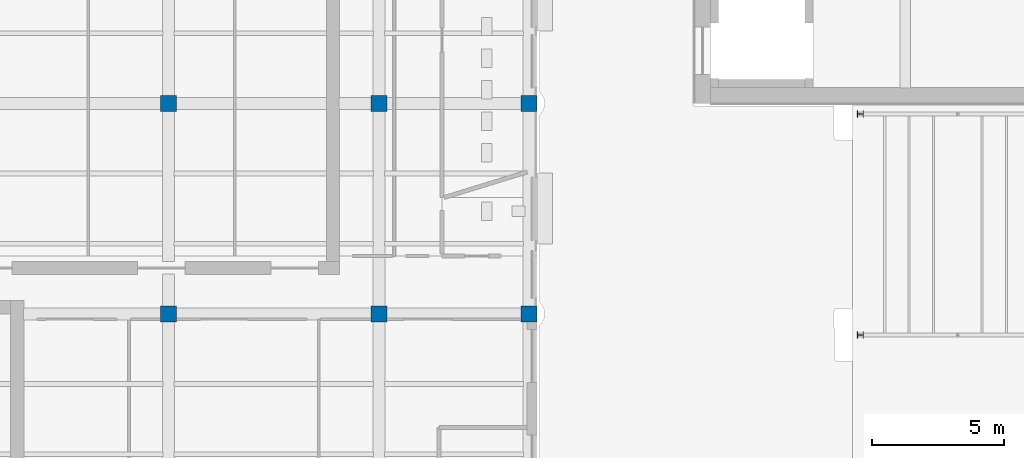
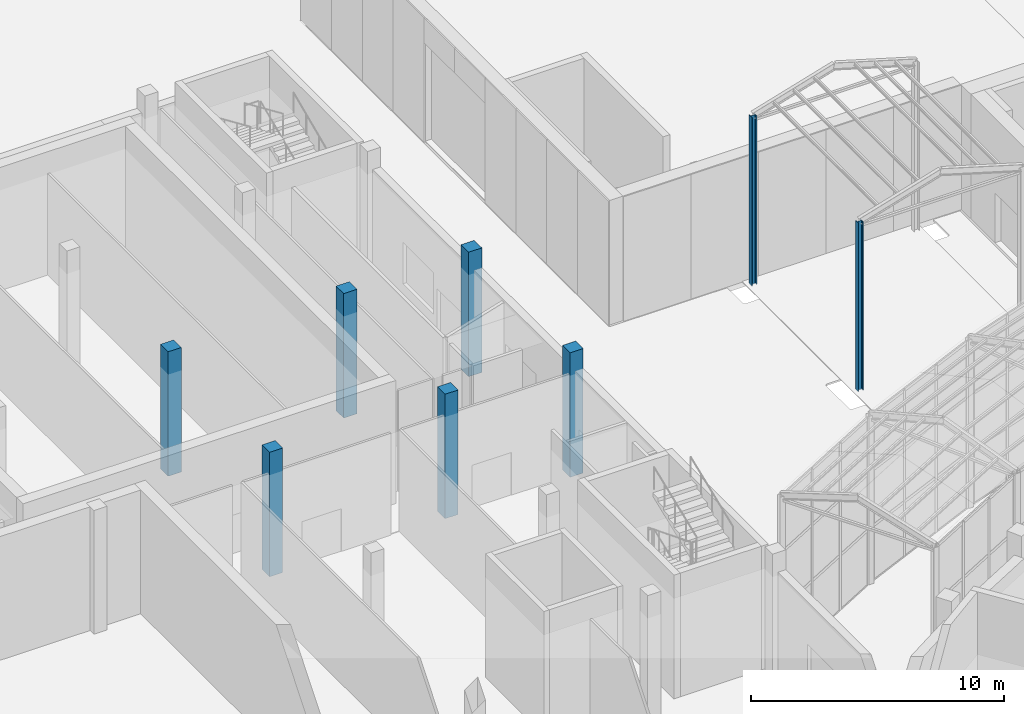
# One storey, part 9 of 155: 8 columns.
"""IFC4 building model written with IfcOpenShell, lengths in metres."""

from ifc_helpers import new_model, si_unit, direction, frame, origin, origin_2d, place, context, subcontext, project, spatial, rectangle, i_section, extrude, material, material_profile, profile_set, type_object, element, save


model = new_model("IFC4")

# Units and contexts
model_context = context("Model", 3, precision=1e-05, world=origin(), true_north=direction((0.0, 1.0)))
body_context = subcontext(model_context, "Body", "Model", "MODEL_VIEW")
ifc_project = project(units=[si_unit("LENGTHUNIT", "METRE"), si_unit("AREAUNIT", "SQUARE_METRE"), si_unit("VOLUMEUNIT", "CUBIC_METRE"), si_unit("PLANEANGLEUNIT", "RADIAN"), si_unit("MASSUNIT", "GRAM", prefix="KILO")], contexts=[model_context])

# Site, building, storey
site_placement = place(None, origin())
site = spatial("IfcSite", under=ifc_project, at=site_placement, CompositionType="ELEMENT")
building_placement = place(site_placement, origin())
building = spatial("IfcBuilding", under=site, at=building_placement, Name="Lunette Opera House", CompositionType="ELEMENT")
storey_placement = place(building_placement, origin())
storey = spatial("IfcBuildingStorey", under=building, at=storey_placement, Name="L00", CompositionType="ELEMENT", Elevation=0.0)

# Columns
ifc_material_1 = material(Name="Concrete C35/45", Category="concrete")
ifc_material_profile_1 = material_profile(ifc_material_1, rectangle(XDim=0.60009765625, YDim=0.60009765625, at=origin_2d()), Name="RC COLUMN 600X600")
ifc_profile_set_1 = profile_set([ifc_material_profile_1], Name="Concrete C35/45")
column_type_1 = type_object("IfcColumnType", Name="RC COLUMN 600X600", PredefinedType="COLUMN", material=ifc_profile_set_1)
for number, where, z_axis, x_axis, name in (
    (1, (40.0, 88.0, 0.0), (0.0, 0.0, 1.0), (1.0, 0.0, 0.0), "col-RW-L00-C43"),
    (2, (40.0, 96.0, 0.0), (0.0, 0.0, 1.0), (1.0, 0.0, 0.0), "col-RW-L00-C44"),
    (3, (48.0, 88.0, 0.0), (0.0, 0.0, 1.0), (1.0, 0.0, 0.0), "col-RW-L00-C53"),
    (4, (48.0, 96.0, 0.0), (0.0, 0.0, 1.0), (1.0, 0.0, 0.0), "col-RW-L00-C54"),
    (5, (53.699951171875, 88.0, 0.0), (0.0, 0.0, 1.0), (1.0, 0.0, 0.0), "col-RW-L00-C63"),
    (6, (53.699951171875, 96.0, 0.0), (0.0, 0.0, 1.0), (1.0, 0.0, 0.0), "col-RW-L00-C64"),
):
    element("IfcColumn", number, at=place(storey_placement, frame(where, z_axis=z_axis, x_axis=x_axis)), inside=storey, type_object=column_type_1, Name=name, PredefinedType="COLUMN", context=body_context, shape_type="SweptSolid", body=[
        extrude(rectangle(XDim=0.60009765625, YDim=0.60009765625, at=origin_2d()), origin(), (0.0, 0.0, 1.0), 6.0),
    ])
ifc_material_2 = material(Name="Steel S355", Category="steel")
ifc_material_profile_2 = material_profile(ifc_material_2, i_section(OverallWidth=0.239990234375, OverallDepth=0.22998046875, WebThickness=0.007568359375, FlangeThickness=0.011962890625, FilletRadius=0.02099609375, at=origin_2d()), Name="HEA 240")
ifc_profile_set_2 = profile_set([ifc_material_profile_2], Name="Steel S355")
column_type_2 = type_object("IfcColumnType", Name="STEEL COLUMN HEA 240", PredefinedType="COLUMN", material=ifc_profile_set_2)
for number, where, z_axis, x_axis, name in (
    (7, (66.300048828125, 87.199951171875, 0.0), (0.0, 0.0, 1.0), (0.0, 1.0, 0.0), "col-PP-L00-FLW1A"),
    (8, (66.300048828125, 95.60009765625, 0.0), (0.0, 0.0, 1.0), (0.0, 1.0, 0.0), "col-PP-L00-FLW2A"),
):
    element("IfcColumn", number, at=place(storey_placement, frame(where, z_axis=z_axis, x_axis=x_axis)), inside=storey, type_object=column_type_2, Name=name, PredefinedType="COLUMN", context=body_context, shape_type="SweptSolid", body=[
        extrude(i_section(OverallWidth=0.239990234375, OverallDepth=0.22998046875, WebThickness=0.007568359375, FlangeThickness=0.011962890625, FilletRadius=0.02099609375, at=origin_2d()), origin(), (0.0, 0.0, 1.0), 8.14990234375),
    ])

save(model, "model.ifc")
